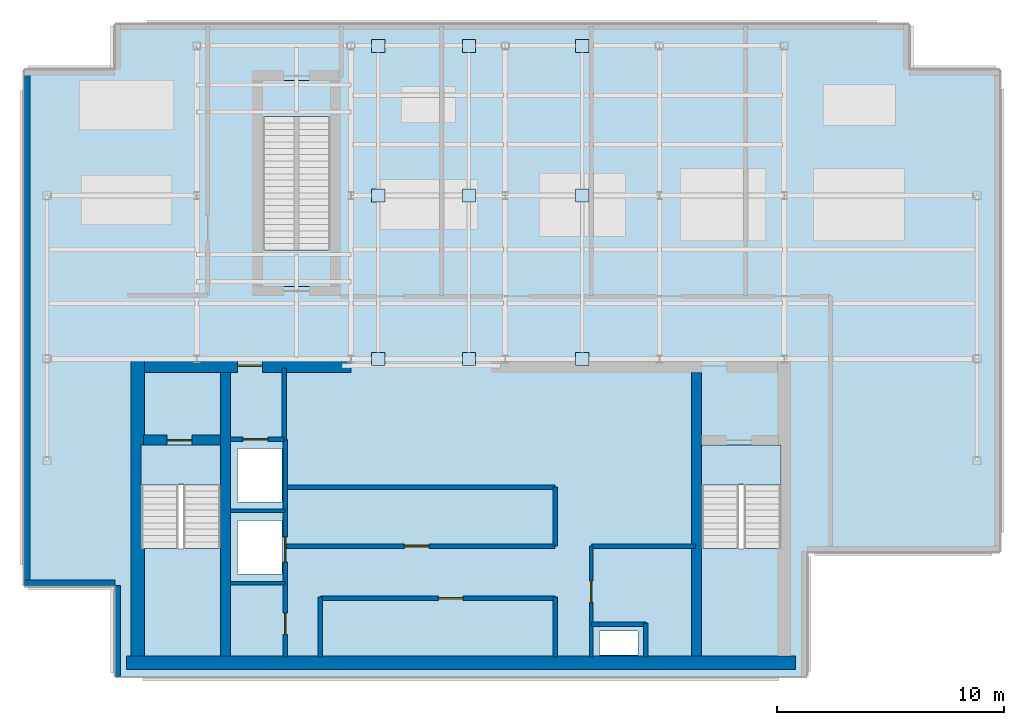
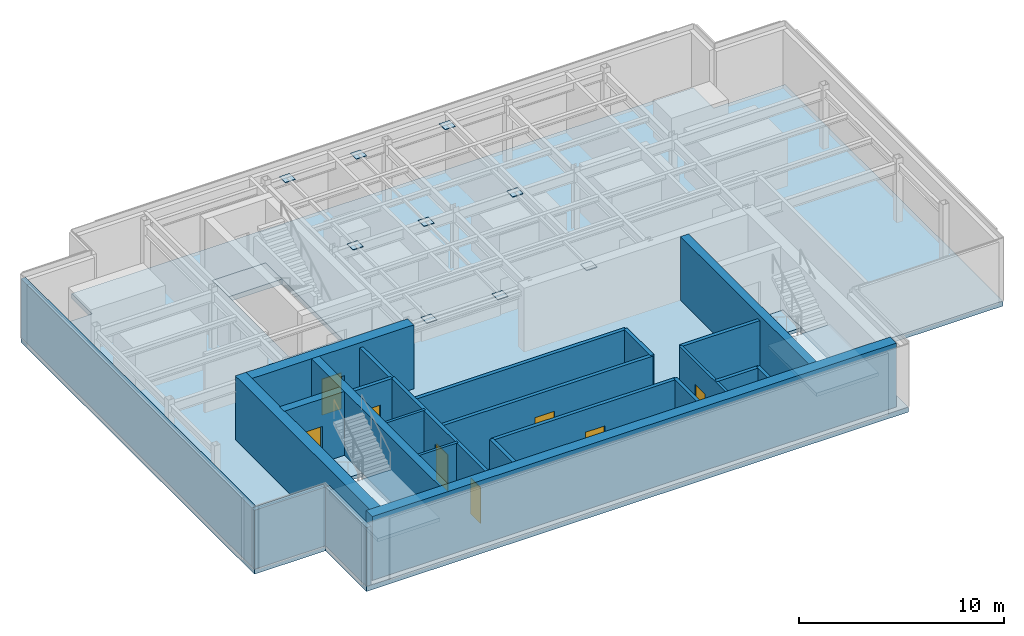
# One storey, part 2 of 7: 24 walls, 9 plates, 8 doors, 7 slabs, 8 openings, 2 elements without a shape of their own.
"""IFC4 building model written with IfcOpenShell, lengths in metres."""

import ifcopenshell
import ifcopenshell.guid

model = None  # the IFC model being written
_history = None  # IfcOwnerHistory: only IFC2X3 demands one
_inside = {}  # id of a spatial element -> (the spatial element, [elements in it])
_under = {}  # id of a project, library or spatial element -> (it, [spatial elements below it])
_declared = {}  # id of a project -> (the project, [libraries it declares])
_typed = {}  # id of a type object -> (the type object, [elements of that type])
_made_of = {}  # id of a material, layer set ... -> (it, [elements and type objects made of it])


def new_model(schema):
    """Start an empty IFC model of exactly this schema.

    Asked for "IFC4X3", IfcOpenShell would pick the latest addendum, in which some entities
    have other attributes; the version numbers below select the first issue.
    IFC2X3 requires an IfcOwnerHistory on every rooted entity: one is made here for all.
    """
    global model, _history
    if schema == "IFC4X3":
        model = ifcopenshell.file(schema_version=(4, 3, 0, 0))
    else:
        model = ifcopenshell.file(schema=schema)
    _inside.clear()
    _under.clear()
    _declared.clear()
    _typed.clear()
    _made_of.clear()
    _history = None
    if model.schema == "IFC2X3":
        org = make("IfcOrganization", Name="unknown")
        user = make(
            "IfcPersonAndOrganization",
            ThePerson=make("IfcPerson", FamilyName="unknown"),
            TheOrganization=org,
        )
        app = make(
            "IfcApplication",
            ApplicationDeveloper=org,
            Version="unknown",
            ApplicationFullName="unknown",
            ApplicationIdentifier="unknown",
        )
        _history = make(
            "IfcOwnerHistory",
            OwningUser=user,
            OwningApplication=app,
            ChangeAction="ADDED",
            CreationDate=0,
        )
    return model


def make(cls, **values):
    """One entity of the class cls with the attributes given. An attribute that is None is left unset."""
    return model.create_entity(
        cls, **{name: value for name, value in values.items() if value is not None}
    )


def rooted(cls, **values):
    """An entity with a GlobalId (a new one), such as an element, a storey or a relation."""
    return make(cls, GlobalId=ifcopenshell.guid.new(), OwnerHistory=_history, **values)


def si_unit(unit_type, name, prefix=None):
    """IfcSIUnit, for example si_unit("LENGTHUNIT", "METRE", prefix="MILLI")."""
    return make("IfcSIUnit", UnitType=unit_type, Prefix=prefix, Name=name)


def derived_unit(unit_type, elements):
    """IfcDerivedUnit: a product of units, each with its exponent."""
    return make(
        "IfcDerivedUnit",
        Elements=[
            make("IfcDerivedUnitElement", Unit=unit, Exponent=power)
            for unit, power in elements
        ],
        UnitType=unit_type,
    )


def assignment(units):
    """IfcUnitAssignment: the units of a project."""
    return None if units is None else make("IfcUnitAssignment", Units=units)


def point(xyz):
    """IfcCartesianPoint."""
    return None if xyz is None else make("IfcCartesianPoint", Coordinates=xyz)


def direction(xyz):
    """IfcDirection."""
    return None if xyz is None else make("IfcDirection", DirectionRatios=xyz)


def frame(location, z_axis=None, x_axis=None):
    """IfcAxis2Placement3D, a coordinate frame: its origin and axes. An axis left out is left unset."""
    return make(
        "IfcAxis2Placement3D",
        Location=point(location),
        Axis=direction(z_axis),
        RefDirection=direction(x_axis),
    )


def frame_2d(location, x_axis=None):
    """IfcAxis2Placement2D, a coordinate frame in the plane: its origin and x axis."""
    return make(
        "IfcAxis2Placement2D", Location=point(location), RefDirection=direction(x_axis)
    )


def origin():
    """The frame at (0, 0, 0) with its axes left unset."""
    return frame((0.0, 0.0, 0.0))


def origin_2d():
    """The frame at (0, 0) in the plane with its x axis left unset."""
    return frame_2d((0.0, 0.0))


def place(relative_to, where):
    """IfcLocalPlacement: puts the frame where relative to a parent placement (None: the world)."""
    return make(
        "IfcLocalPlacement", PlacementRelTo=relative_to, RelativePlacement=where
    )


def context(
    kind, dimensions, precision=None, world=None, true_north=None, identifier=None
):
    """IfcGeometricRepresentationContext, for example the 3D "Model" context."""
    return make(
        "IfcGeometricRepresentationContext",
        ContextIdentifier=identifier,
        ContextType=kind,
        CoordinateSpaceDimension=dimensions,
        Precision=precision,
        WorldCoordinateSystem=world,
        TrueNorth=true_north,
    )


def subcontext(parent, identifier, kind, view, scale=None):
    """IfcGeometricRepresentationSubContext, for example "Body" below "Model"."""
    return make(
        "IfcGeometricRepresentationSubContext",
        ContextIdentifier=identifier,
        ContextType=kind,
        ParentContext=parent,
        TargetScale=scale,
        TargetView=view,
    )


def project(units=None, contexts=None):
    """IfcProject with its units and contexts."""
    return rooted(
        "IfcProject",
        Name="project",
        RepresentationContexts=contexts,
        UnitsInContext=assignment(units),
    )


def spatial(cls, under=None, at=None, **own):
    """A site, building, storey or space (cls), placed at a placement, below another one or the project."""
    s = rooted(cls, ObjectPlacement=at, **own)
    if under is not None:
        _under.setdefault(under.id(), (under, []))[1].append(s)
    return s


def polyline(points):
    """IfcPolyline through the points."""
    return make("IfcPolyline", Points=[point(p) for p in points])


def profile(cls, at=None, kind="AREA", **sizes):
    """A parametric profile (cls). Its sizes go by their IFC names, for example OverallWidth=200.0."""
    return make(cls, ProfileType=kind, Position=at, **sizes)


def rectangle(**sizes):
    """IfcRectangleProfileDef."""
    return profile("IfcRectangleProfileDef", **sizes)


def outline(outer, holes=None, kind="AREA"):
    """IfcArbitraryClosedProfileDef: a profile drawn as a closed curve; with holes, ...WithVoids."""
    if holes is None:
        return make("IfcArbitraryClosedProfileDef", ProfileType=kind, OuterCurve=outer)
    return make(
        "IfcArbitraryProfileDefWithVoids",
        ProfileType=kind,
        OuterCurve=outer,
        InnerCurves=holes,
    )


def extrude(swept, where, along, depth):
    """IfcExtrudedAreaSolid: the profile swept, set in the frame where, extruded along a direction by depth."""
    return make(
        "IfcExtrudedAreaSolid",
        SweptArea=swept,
        Position=where,
        ExtrudedDirection=direction(along),
        Depth=depth,
    )


def shape(context_of_items, identifier, shape_type, items):
    """IfcShapeRepresentation: the items that make up one representation, for example the "Body"."""
    return make(
        "IfcShapeRepresentation",
        ContextOfItems=context_of_items,
        RepresentationIdentifier=identifier,
        RepresentationType=shape_type,
        Items=items,
    )


def source(mapping_origin, context_of_items, identifier, shape_type, items):
    """IfcRepresentationMap: a shape defined once, which mapped items show again and again."""
    return make(
        "IfcRepresentationMap",
        MappingOrigin=mapping_origin,
        MappedRepresentation=shape(context_of_items, identifier, shape_type, items),
    )


def transform(
    local_origin,
    x_axis=None,
    y_axis=None,
    z_axis=None,
    scale=None,
    scale2=None,
    scale3=None,
    uniform=True,
):
    """IfcCartesianTransformationOperator3D, or its non-uniform kind. x_axis, y_axis, z_axis: its Axis1, 2, 3."""
    if uniform:
        return make(
            "IfcCartesianTransformationOperator3D",
            Axis1=direction(x_axis),
            Axis2=direction(y_axis),
            LocalOrigin=point(local_origin),
            Scale=scale,
            Axis3=direction(z_axis),
        )
    return make(
        "IfcCartesianTransformationOperator3DnonUniform",
        Axis1=direction(x_axis),
        Axis2=direction(y_axis),
        LocalOrigin=point(local_origin),
        Scale=scale,
        Axis3=direction(z_axis),
        Scale2=scale2,
        Scale3=scale3,
    )


def mapped(mapping_source, mapping_target):
    """IfcMappedItem: shows the shape of a source again, moved by a transform."""
    return make(
        "IfcMappedItem", MappingSource=mapping_source, MappingTarget=mapping_target
    )


def material(Name=None, Category=None):
    """IfcMaterial."""
    return make("IfcMaterial", Name=Name, Category=Category)


def layer(
    of_material, thickness, ventilated=None, Name=None, Category=None, Priority=None
):
    """IfcMaterialLayer: one layer of a wall or slab, of a material (None: an air gap)."""
    return make(
        "IfcMaterialLayer",
        Material=of_material,
        LayerThickness=thickness,
        IsVentilated=ventilated,
        Name=Name,
        Category=Category,
        Priority=Priority,
    )


def layer_set(layers, Name=None):
    """IfcMaterialLayerSet."""
    return make("IfcMaterialLayerSet", MaterialLayers=layers, LayerSetName=Name)


def made_of(thing, what):
    """Note that an element or type object is made of a material, layer set ...; save() writes the relation."""
    if what is not None:
        _made_of.setdefault(what.id(), (what, []))[1].append(thing)
    return thing


def type_object(cls, material=None, **own):
    """A type object (cls), such as IfcWallType, which elements share."""
    return made_of(rooted(cls, **own), material)


def element(
    cls,
    number,
    at=None,
    inside=None,
    cuts=None,
    type_object=None,
    material=None,
    context=None,
    identifier="Body",
    shape_type=None,
    held_by="IfcProductDefinitionShape",
    body=None,
    shapes=None,
    **own,
):
    """One element of the class cls, such as IfcWall. Its Tag is "e" and its number.

    at: its placement. inside: the storey or other place that contains it. cuts: it is an
    opening in that element (IfcRelVoidsElement). A single representation is given by context,
    identifier, shape_type and body (its items); several are given by shapes. held_by: the class
    of the entity that holds the representations. save() writes the other relations.
    """
    e = rooted(cls, Tag="e%d" % number, ObjectPlacement=at, **own)
    if body is not None:
        shapes = [shape(context, identifier, shape_type, body)]
    if shapes is not None:
        e.Representation = make(held_by, Representations=shapes)
    if inside is not None:
        _inside.setdefault(inside.id(), (inside, []))[1].append(e)
    if cuts is not None:
        rooted(
            "IfcRelVoidsElement", RelatingBuildingElement=cuts, RelatedOpeningElement=e
        )
    if type_object is not None:
        _typed.setdefault(type_object.id(), (type_object, []))[1].append(e)
    return made_of(e, material)


def fill(opening, filler):
    """IfcRelFillsElement: the door or window that sits in an opening."""
    return rooted(
        "IfcRelFillsElement",
        RelatingOpeningElement=opening,
        RelatedBuildingElement=filler,
    )


def aggregate(whole, parts):
    """IfcRelAggregates: a whole, such as a stair, and the parts it consists of."""
    return rooted("IfcRelAggregates", RelatingObject=whole, RelatedObjects=parts)


def save(model, path):
    """Write the relations noted so far, then the file.

    IfcRelAggregates (storeys below a building ...), IfcRelContainedInSpatialStructure (elements
    in a storey), IfcRelDefinesByType, IfcRelAssociatesMaterial and IfcRelDeclares: one each for
    every whole, place, type object, material and project.
    """
    for whole, parts in _under.values():
        aggregate(whole, parts)
    for where, things in _inside.values():
        rooted(
            "IfcRelContainedInSpatialStructure",
            RelatedElements=things,
            RelatingStructure=where,
        )
    for kind, things in _typed.values():
        rooted("IfcRelDefinesByType", RelatedObjects=things, RelatingType=kind)
    for what, things in _made_of.values():
        rooted("IfcRelAssociatesMaterial", RelatedObjects=things, RelatingMaterial=what)
    for by, libraries in _declared.values():
        rooted("IfcRelDeclares", RelatingContext=by, RelatedDefinitions=libraries)
    model.write(path)


model = new_model("IFC4")

# Units and contexts
model_context = context("Model", 3, precision=1e-05, world=origin(), true_north=direction((0.0, 1.0)))
body_context = subcontext(model_context, "Body", "Model", "MODEL_VIEW")
ifc_project = project(units=[si_unit("LENGTHUNIT", "METRE"), si_unit("AREAUNIT", "SQUARE_METRE"), si_unit("VOLUMEUNIT", "CUBIC_METRE"), si_unit("PLANEANGLEUNIT", "RADIAN"), si_unit("MASSUNIT", "GRAM", prefix="KILO"), derived_unit("THERMALTRANSMITTANCEUNIT", [(si_unit("POWERUNIT", "WATT"), 1), (si_unit("LENGTHUNIT", "METRE"), -2), (si_unit("THERMODYNAMICTEMPERATUREUNIT", "KELVIN"), -1)])], contexts=[model_context])

# Site, building, storey
site_placement = place(None, origin())
site = spatial("IfcSite", under=ifc_project, at=site_placement, CompositionType="ELEMENT")
building_placement = place(site_placement, origin())
building = spatial("IfcBuilding", under=site, at=building_placement, Name="Skarnbrae Concourse Arena and Tower", CompositionType="ELEMENT")
storey_placement = place(building_placement, frame((0.0, 0.0, 307.449951171875)))
storey = spatial("IfcBuildingStorey", under=building, at=storey_placement, Name="L80", CompositionType="ELEMENT", Elevation=307.449951171875)

# Stair, slab
ifc_material_1 = material(Name="Concrete 40 MPa (C40/50)", Category="concrete")
stair_type = type_object("IfcStairType", Name="STAIR-DOGLEG-1650", PredefinedType="HALF_TURN_STAIR", material=ifc_material_1)
stair_1_placement = place(storey_placement, origin())
stair_1 = element("IfcStair", 1, at=stair_1_placement, inside=storey, type_object=stair_type, Name="L80 Protected Exit Stair ST-1", PredefinedType="HALF_TURN_STAIR")
ifc_layer_1 = layer(ifc_material_1, 0.199951171875)
ifc_layer_set_1 = layer_set([ifc_layer_1], Name="Concrete 40 MPa (C40/50)")
slab_type_1 = type_object("IfcSlabType", Name="SLAB-LANDING-200", PredefinedType="LANDING", material=ifc_layer_set_1)
slab_1_placement = place(storey_placement, frame((0.0, 0.0, 1.699951171875)))
slab_1 = element("IfcSlab", 2, at=slab_1_placement, type_object=slab_type_1, Name="ST-1 landing 1", PredefinedType="LANDING", context=body_context, shape_type="SweptSolid", body=[
    extrude(outline(polyline([(5.14990234375, 5.64990234375), (5.14990234375, 0.89990234375), (8.64990234375, 0.89990234375), (8.64990234375, 5.64990234375), (5.14990234375, 5.64990234375)])), origin(), (0.0, 0.0, 1.0), 0.2001953125),
])
aggregate(stair_1, [slab_1])

stair_2_placement = place(storey_placement, origin())
stair_2 = element("IfcStair", 3, at=stair_2_placement, inside=storey, type_object=stair_type, Name="L80 Protected Exit Stair ST-2", PredefinedType="HALF_TURN_STAIR")
slab_2_placement = place(storey_placement, frame((0.0, 0.0, 1.699951171875)))
slab_2 = element("IfcSlab", 4, at=slab_2_placement, type_object=slab_type_1, Name="ST-2 landing 1", PredefinedType="LANDING", context=body_context, shape_type="SweptSolid", body=[
    extrude(outline(polyline([(29.85009765625, 5.64990234375), (29.85009765625, 0.89990234375), (33.35009765625, 0.89990234375), (33.35009765625, 5.64990234375), (29.85009765625, 5.64990234375)])), origin(), (0.0, 0.0, 1.0), 0.2001953125),
])
aggregate(stair_2, [slab_2])

# Slabs
slab_3_placement = place(storey_placement, frame((0.0, 0.0, -0.199951171875)))
element("IfcSlab", 5, at=slab_3_placement, inside=storey, type_object=slab_type_1, Name="L80 Core stair ST1 floor landing", PredefinedType="LANDING", context=body_context, shape_type="SweptSolid", body=[
    extrude(outline(polyline([(5.14990234375, 10.199951171875), (5.14990234375, 8.449951171875), (8.64990234375, 8.449951171875), (8.64990234375, 10.199951171875), (5.14990234375, 10.199951171875)])), origin(), (0.0, 0.0, 1.0), 0.199951171875),
])
slab_4_placement = place(storey_placement, frame((0.0, 0.0, -0.199951171875)))
element("IfcSlab", 6, at=slab_4_placement, inside=storey, type_object=slab_type_1, Name="L80 Core stair ST2 floor landing", PredefinedType="LANDING", context=body_context, shape_type="SweptSolid", body=[
    extrude(outline(polyline([(29.85009765625, 10.199951171875), (29.85009765625, 8.449951171875), (33.35009765625, 8.449951171875), (33.35009765625, 10.199951171875), (29.85009765625, 10.199951171875)])), origin(), (0.0, 0.0, 1.0), 0.199951171875),
])
slab_5_placement = place(storey_placement, frame((0.0, 0.0, -0.300048828125)))
element("IfcSlab", 7, at=slab_5_placement, inside=storey, type_object=slab_type_1, Name="L80 Stair ST-CRWN near floor landing", PredefinedType="LANDING", context=body_context, shape_type="SweptSolid", body=[
    extrude(outline(polyline([(13.5, 17.199951171875), (13.5, 18.800048828125), (10.5, 18.800048828125), (10.5, 17.199951171875), (13.5, 17.199951171875)])), origin(), (0.0, 0.0, 1.0), 0.300048828125),
])
slab_6_placement = place(storey_placement, frame((0.0, 0.0, -0.300048828125)))
element("IfcSlab", 8, at=slab_6_placement, inside=storey, type_object=slab_type_1, Name="L80 Stair ST-CRWN far floor landing", PredefinedType="LANDING", context=body_context, shape_type="SweptSolid", body=[
    extrude(outline(polyline([(13.5, 24.679931640625), (13.5, 26.280029296875), (10.5, 26.280029296875), (10.5, 24.679931640625), (13.5, 24.679931640625)])), origin(), (0.0, 0.0, 1.0), 0.300048828125),
])
ifc_layer_2 = layer(ifc_material_1, 0.300048828125)
ifc_layer_set_2 = layer_set([ifc_layer_2], Name="Concrete 40 MPa (C40/50)")
slab_type_2 = type_object("IfcSlabType", Name="SLAB-PODIUM-300", PredefinedType="FLOOR", material=ifc_layer_set_2)
slab_7_placement = place(storey_placement, frame((0.0, 0.0, -0.300048828125)))
element("IfcSlab", 9, at=slab_7_placement, inside=storey, type_object=slab_type_2, Name="L80 Structural floor slab", PredefinedType="FLOOR", context=body_context, shape_type="SweptSolid", body=[
    extrude(outline(polyline([(4.0, 0.0), (34.5, 0.0), (34.5, 5.5), (43.0, 5.5), (43.0, 26.75), (39.0, 26.75), (39.0, 28.75), (4.0, 28.75), (4.0, 26.75), (0.0, 26.75), (0.0, 4.0), (4.0, 4.0), (4.0, 0.0)]), holes=[polyline([(27.050048828125, 0.949951171875), (25.35009765625, 0.949951171875), (25.35009765625, 2.0), (27.050048828125, 2.0), (27.050048828125, 0.949951171875)]), polyline([(5.14990234375, 10.199951171875), (8.64990234375, 10.199951171875), (8.64990234375, 0.89990234375), (5.14990234375, 0.89990234375), (5.14990234375, 10.199951171875)]), polyline([(29.85009765625, 10.199951171875), (33.35009765625, 10.199951171875), (33.35009765625, 0.89990234375), (29.85009765625, 0.89990234375), (29.85009765625, 10.199951171875)]), polyline([(11.35498046875, 4.52001953125), (9.39501953125, 4.52001953125), (9.39501953125, 6.8798828125), (11.35498046875, 6.8798828125), (11.35498046875, 4.52001953125)]), polyline([(9.39501953125, 7.695068359375), (9.39501953125, 10.054931640625), (11.35498046875, 10.054931640625), (11.35498046875, 7.695068359375), (9.39501953125, 7.695068359375)]), polyline([(13.5, 17.199951171875), (10.5, 17.199951171875), (10.5, 26.280029296875), (13.5, 26.280029296875), (13.5, 17.199951171875)])]), origin(), (0.0, 0.0, 1.0), 0.300048828125),
])

# Plates
ifc_material_2 = material(Name="Steel CSA G40.21 350W", Category="steel")
ifc_layer_3 = layer(ifc_material_2, 0.031982421875)
ifc_layer_set_3 = layer_set([ifc_layer_3], Name="Steel CSA G40.21 350W")
plate_type = type_object("IfcPlateType", Name="PLT-CAP-HOLLOW", PredefinedType="USERDEFINED", material=ifc_layer_set_3)
shared_shape_1 = source(origin(), body_context, "Body", "SweptSolid", [
    extrude(rectangle(XDim=0.580078125, YDim=0.580078125, at=origin_2d()), origin(), (0.0, 0.0, 1.0), 0.031982421875),
])
for number, where, z_axis, x_axis, name in (
    (10, (15.60009765625, 14.0, 3.3642578125), (0.0, 0.0, 1.0), (1.0, 0.0, 0.0), "L80 Crown tie cap plate 1.1A"),
    (11, (15.60009765625, 21.199951171875, 3.3642578125), (0.0, 0.0, 1.0), (1.0, 0.0, 0.0), "L80 Crown tie cap plate 1.1B"),
    (12, (15.60009765625, 27.800048828125, 3.3642578125), (0.0, 0.0, 1.0), (1.0, 0.0, 0.0), "L80 Crown tie cap plate 1.2B"),
    (13, (19.60009765625, 14.0, 3.3642578125), (0.0, 0.0, 1.0), (1.0, 0.0, 0.0), "L80 Crown tie cap plate 2.1A"),
    (14, (19.60009765625, 21.199951171875, 3.3642578125), (0.0, 0.0, 1.0), (1.0, 0.0, 0.0), "L80 Crown tie cap plate 2.1B"),
    (15, (19.60009765625, 27.800048828125, 3.3642578125), (0.0, 0.0, 1.0), (1.0, 0.0, 0.0), "L80 Crown tie cap plate 2.2B"),
    (16, (24.60009765625, 14.0, 3.3642578125), (0.0, 0.0, 1.0), (1.0, 0.0, 0.0), "L80 Crown tie cap plate 3.1A"),
    (17, (24.60009765625, 21.199951171875, 3.3642578125), (0.0, 0.0, 1.0), (1.0, 0.0, 0.0), "L80 Crown tie cap plate 3.1B"),
    (18, (24.60009765625, 27.800048828125, 3.3642578125), (0.0, 0.0, 1.0), (1.0, 0.0, 0.0), "L80 Crown tie cap plate 3.2B"),
):
    element("IfcPlate", number, at=place(storey_placement, frame(where, z_axis=z_axis, x_axis=x_axis)), inside=storey, type_object=plate_type, Name=name, ObjectType="CAP PLATE", PredefinedType="USERDEFINED", context=body_context, shape_type="MappedRepresentation", body=[
        mapped(shared_shape_1, transform((0.0, 0.0, 0.0))),
    ])

# Walls
ifc_material_3 = material(Name="Concrete 50 MPa (C50/60)", Category="concrete")
ifc_layer_4 = layer(ifc_material_3, 0.60009765625)
ifc_layer_set_4 = layer_set([ifc_layer_4], Name="Concrete 50 MPa (C50/60)")
wall_type_1 = type_object("IfcWallType", Name="WALL-CORE-600-C50", PredefinedType="SHEAR", material=ifc_layer_set_4)
shared_shape_2 = source(origin(), body_context, "Body", "SweptSolid", [
    extrude(rectangle(XDim=29.5, YDim=0.60009765625, at=frame_2d((14.75, 0.0))), origin(), (0.0, 0.0, 1.0), 3.800048828125),
])
wall_1_placement = place(storey_placement, frame((4.5, 0.60009765625, 0.0), z_axis=(0.0, 0.0, 1.0), x_axis=(1.0, 0.0, 0.0)))
element("IfcWall", 19, at=wall_1_placement, inside=storey, type_object=wall_type_1, Name="L80 Rear core shear wall CW-S", PredefinedType="SHEAR", context=body_context, shape_type="MappedRepresentation", body=[
    mapped(shared_shape_2, transform((0.0, 0.0, 0.0))),
])
shared_shape_3 = source(origin(), body_context, "Body", "SweptSolid", [
    extrude(rectangle(XDim=13.10009765625, YDim=0.60009765625, at=frame_2d((6.550048828125, 0.0))), origin(), (0.0, 0.0, 1.0), 3.800048828125),
])
wall_2_placement = place(storey_placement, frame((5.0, 0.89990234375, 0.0), z_axis=(0.0, 0.0, 1.0), x_axis=(0.0, 1.0, 0.0)))
element("IfcWall", 20, at=wall_2_placement, inside=storey, type_object=wall_type_1, Name="L80 Rear core shear wall CW-W", PredefinedType="SHEAR", context=body_context, shape_type="MappedRepresentation", body=[
    mapped(shared_shape_3, transform((0.0, 0.0, 0.0))),
])

# Wall, opening, door
shared_shape_4 = source(origin(), body_context, "Body", "SweptSolid", [
    extrude(rectangle(XDim=9.099853515625, YDim=0.60009765625, at=frame_2d((4.5498046875, 0.0))), origin(), (0.0, 0.0, 1.0), 3.800048828125),
])
wall_3_placement = place(storey_placement, frame((5.300048828125, 13.699951171875, 0.0), z_axis=(0.0, 0.0, 1.0), x_axis=(1.0, 0.0, 0.0)))
wall_3 = element("IfcWall", 21, at=wall_3_placement, inside=storey, type_object=wall_type_1, Name="L80 Rear core shear wall CW-NW", PredefinedType="SHEAR", context=body_context, shape_type="MappedRepresentation", body=[
    mapped(shared_shape_4, transform((0.0, 0.0, 0.0))),
])
opening_1_placement = place(wall_3_placement, frame((4.10009765625, 0.0, 0.0)))
opening_1 = element("IfcOpeningElement", 22, at=opening_1_placement, cuts=wall_3, Name="Opening DT-03", PredefinedType="OPENING", context=body_context, shape_type="SweptSolid", body=[
    extrude(rectangle(XDim=1.10009765625, YDim=2.14990234375, at=frame_2d((0.550048828125, 1.074951171875))), frame((0.0, 0.31005859375, 0.0), z_axis=(0.0, -1.0, 0.0), x_axis=(1.0, 0.0, 0.0)), (0.0, 0.0, 1.0), 0.6201171875),
])
door_type_1 = type_object("IfcDoorType", Name="DOOR-FIRE-1100-90M", OperationType="NOTDEFINED", PredefinedType="DOOR", material=ifc_material_2)
shared_shape_5 = source(origin(), body_context, "Body", "SweptSolid", [
    extrude(rectangle(XDim=1.10009765625, YDim=2.14990234375, at=frame_2d((0.550048828125, 1.074951171875))), frame((0.0, 0.02490234375, 0.0), z_axis=(0.0, -1.0, 0.0), x_axis=(1.0, 0.0, 0.0)), (0.0, 0.0, 1.0), 0.050048828125),
])
door_1_placement = place(opening_1_placement, origin())
door_1 = element("IfcDoor", 23, at=door_1_placement, inside=storey, type_object=door_type_1, Name="D-2356 Firefighting Lobby Exit Door", OperationType="SINGLE_SWING_RIGHT", OverallHeight=2.14990234375, OverallWidth=1.10009765625, PredefinedType="DOOR", context=body_context, shape_type="MappedRepresentation", body=[
    mapped(shared_shape_5, transform((0.0, 0.0, 0.0))),
])
fill(opening_1, door_1)

# Walls
ifc_layer_5 = layer(ifc_material_3, 0.449951171875)
ifc_layer_set_5 = layer_set([ifc_layer_5], Name="Concrete 50 MPa (C50/60)")
wall_type_2 = type_object("IfcWallType", Name="WALL-CORE-450-C50", PredefinedType="SHEAR", material=ifc_layer_set_5)
shared_shape_6 = source(origin(), body_context, "Body", "SweptSolid", [
    extrude(rectangle(XDim=12.5, YDim=0.449951171875, at=frame_2d((6.25, 0.0))), origin(), (0.0, 0.0, 1.0), 3.800048828125),
])
for number, where, z_axis, x_axis, name in (
    (24, (8.864990234375, 0.89990234375, 0.0), (0.0, 0.0, 1.0), (0.0, 1.0, 0.0), "L80 Rear core shear wall CW-WEB-W"),
    (25, (29.635009765625, 0.89990234375, 0.0), (0.0, 0.0, 1.0), (0.0, 1.0, 0.0), "L80 Rear core shear wall CW-WEB-E"),
):
    element("IfcWall", number, at=place(storey_placement, frame(where, z_axis=z_axis, x_axis=x_axis)), inside=storey, type_object=wall_type_2, Name=name, PredefinedType="SHEAR", context=body_context, shape_type="MappedRepresentation", body=[
        mapped(shared_shape_6, transform((0.0, 0.0, 0.0))),
    ])

# Wall, opening, door
shared_shape_7 = source(origin(), body_context, "Body", "SweptSolid", [
    extrude(rectangle(XDim=3.389892578125, YDim=0.449951171875, at=frame_2d((1.69482421875, 0.0))), origin(), (0.0, 0.0, 1.0), 3.800048828125),
])
wall_4_placement = place(storey_placement, frame((5.25, 10.419921875, 0.0), z_axis=(0.0, 0.0, 1.0), x_axis=(1.0, 0.0, 0.0)))
wall_4 = element("IfcWall", 26, at=wall_4_placement, inside=storey, type_object=wall_type_2, Name="L80 Rear core shear wall CW-ST1-N", PredefinedType="SHEAR", context=body_context, shape_type="MappedRepresentation", body=[
    mapped(shared_shape_7, transform((0.0, 0.0, 0.0))),
])
opening_2_placement = place(wall_4_placement, frame((1.050048828125, 0.0, 0.0)))
opening_2 = element("IfcOpeningElement", 27, at=opening_2_placement, cuts=wall_4, Name="Opening DT-03", PredefinedType="OPENING", context=body_context, shape_type="SweptSolid", body=[
    extrude(rectangle(XDim=1.10009765625, YDim=2.14990234375, at=frame_2d((0.550048828125, 1.074951171875))), frame((0.0, 0.23486328125, 0.0), z_axis=(0.0, -1.0, 0.0), x_axis=(1.0, 0.0, 0.0)), (0.0, 0.0, 1.0), 0.469970703125),
])
door_2_placement = place(opening_2_placement, frame((1.10009765625, 0.0, 0.0), z_axis=(0.0, 0.0, 1.0), x_axis=(-1.0, 0.0, 0.0)))
door_2 = element("IfcDoor", 28, at=door_2_placement, inside=storey, type_object=door_type_1, Name="D-2354 Stair ST-1 Door", OperationType="SINGLE_SWING_LEFT", OverallHeight=2.14990234375, OverallWidth=1.10009765625, PredefinedType="DOOR", context=body_context, shape_type="MappedRepresentation", body=[
    mapped(shared_shape_5, transform((0.0, 0.0, 0.0))),
])
fill(opening_2, door_2)

# Walls
ifc_material_4 = material(Name="Precast concrete 40 MPa (C40/50)", Category="concrete")
ifc_layer_6 = layer(ifc_material_4, 0.25)
ifc_layer_set_6 = layer_set([ifc_layer_6], Name="Precast concrete 40 MPa (C40/50)")
wall_type_3 = type_object("IfcWallType", Name="WALL-CROWN-BRONZE-250", PredefinedType="STANDARD", material=ifc_layer_set_6)
shared_shape_8 = source(origin(), body_context, "Body", "SweptSolid", [
    extrude(rectangle(XDim=4.0, YDim=0.25, at=frame_2d((2.0, 0.0))), origin(), (0.0, 0.0, 1.0), 3.5),
])
for number, where, z_axis, x_axis, name in (
    (29, (0.0, 4.125, 0.0), (0.0, 0.0, 1.0), (1.0, 0.0, 0.0), "L80 Crown enclosure wall 11"),
    (30, (4.125, 4.0, 0.0), (0.0, 0.0, 1.0), (0.0, -1.0, 0.0), "L80 Crown enclosure wall 12"),
):
    element("IfcWall", number, at=place(storey_placement, frame(where, z_axis=z_axis, x_axis=x_axis)), inside=storey, type_object=wall_type_3, Name=name, PredefinedType="STANDARD", context=body_context, shape_type="MappedRepresentation", body=[
        mapped(shared_shape_8, transform((0.0, 0.0, 0.0))),
    ])
shared_shape_9 = source(origin(), body_context, "Body", "SweptSolid", [
    extrude(rectangle(XDim=22.75, YDim=0.25, at=frame_2d((11.375, 0.0))), origin(), (0.0, 0.0, 1.0), 3.5),
])
wall_5_placement = place(storey_placement, frame((0.125, 26.75, 0.0), z_axis=(0.0, 0.0, 1.0), x_axis=(0.0, -1.0, 0.0)))
element("IfcWall", 31, at=wall_5_placement, inside=storey, type_object=wall_type_3, Name="L80 Crown enclosure wall 10", PredefinedType="STANDARD", context=body_context, shape_type="MappedRepresentation", body=[
    mapped(shared_shape_9, transform((0.0, 0.0, 0.0))),
])
ifc_material_5 = material(Name="Gypsum board on cold-formed steel studs", Category="steel")
ifc_layer_7 = layer(ifc_material_5, 0.199951171875)
ifc_layer_set_7 = layer_set([ifc_layer_7], Name="Gypsum board on cold-formed steel studs")
wall_type_4 = type_object("IfcWallType", Name="WALL-PART-200-2HR", PredefinedType="PARTITIONING", material=ifc_layer_set_7)
shared_shape_10 = source(origin(), body_context, "Body", "SweptSolid", [
    extrude(rectangle(XDim=3.18017578125, YDim=0.199951171875, at=frame_2d((1.590087890625, 0.0))), origin(), (0.0, 0.0, 1.0), 3.5),
])
wall_6_placement = place(storey_placement, frame((11.449951171875, 10.419921875, 0.0), z_axis=(0.0, 0.0, 1.0), x_axis=(0.0, 1.0, 0.0)))
element("IfcWall", 32, at=wall_6_placement, inside=storey, type_object=wall_type_4, Name="L80 Interior partition wall W-L80-FFL-E", PredefinedType="PARTITIONING", context=body_context, shape_type="MappedRepresentation", body=[
    mapped(shared_shape_10, transform((0.0, 0.0, 0.0))),
])

# Wall, opening, door
shared_shape_11 = source(origin(), body_context, "Body", "SweptSolid", [
    extrude(rectangle(XDim=2.349853515625, YDim=0.199951171875, at=frame_2d((1.1748046875, 0.0))), origin(), (0.0, 0.0, 1.0), 3.5),
])
wall_7_placement = place(storey_placement, frame((9.10009765625, 10.449951171875, 0.0), z_axis=(0.0, 0.0, 1.0), x_axis=(1.0, 0.0, 0.0)))
wall_7 = element("IfcWall", 33, at=wall_7_placement, inside=storey, type_object=wall_type_4, Name="L80 Interior partition wall W-L80-FL1-N", PredefinedType="PARTITIONING", context=body_context, shape_type="MappedRepresentation", body=[
    mapped(shared_shape_11, transform((0.0, 0.0, 0.0))),
])
opening_3_placement = place(wall_7_placement, frame((0.550048828125, 0.0, 0.0)))
opening_3 = element("IfcOpeningElement", 34, at=opening_3_placement, cuts=wall_7, Name="Opening LD-01", PredefinedType="OPENING", context=body_context, shape_type="SweptSolid", body=[
    extrude(rectangle(XDim=1.10009765625, YDim=2.14990234375, at=frame_2d((0.550048828125, 1.074951171875))), frame((0.0, 0.10986328125, 0.0), z_axis=(0.0, -1.0, 0.0), x_axis=(1.0, 0.0, 0.0)), (0.0, 0.0, 1.0), 0.219970703125),
])
door_type_2 = type_object("IfcDoorType", Name="DOOR-LIFT-SLIDE-1100", OperationType="SLIDING_TO_LEFT", PredefinedType="DOOR", material=ifc_material_2)
door_3_placement = place(opening_3_placement, origin())
door_3 = element("IfcDoor", 35, at=door_3_placement, inside=storey, type_object=door_type_2, Name="D-2358 Firefighting Lift Landing Door FL-01", OperationType="SLIDING_TO_LEFT", OverallHeight=2.14990234375, OverallWidth=1.10009765625, PredefinedType="DOOR", context=body_context, shape_type="MappedRepresentation", body=[
    mapped(shared_shape_5, transform((0.0, 0.0, 0.0))),
])
fill(opening_3, door_3)

# Wall, openings, doors
shared_shape_12 = source(origin(), body_context, "Body", "SweptSolid", [
    extrude(rectangle(XDim=9.599853515625, YDim=0.199951171875, at=frame_2d((4.7998046875, 0.0))), origin(), (0.0, 0.0, 1.0), 3.5),
])
wall_8_placement = place(storey_placement, frame((11.5, 0.85009765625, 0.0), z_axis=(0.0, 0.0, 1.0), x_axis=(0.0, 1.0, 0.0)))
wall_8 = element("IfcWall", 36, at=wall_8_placement, inside=storey, type_object=wall_type_4, Name="L80 Interior partition wall W-L80-FL-E", PredefinedType="PARTITIONING", context=body_context, shape_type="MappedRepresentation", body=[
    mapped(shared_shape_12, transform((0.0, 0.0, 0.0))),
])
opening_4_placement = place(wall_8_placement, frame((4.199951171875, 0.0, 0.0)))
opening_4 = element("IfcOpeningElement", 37, at=opening_4_placement, cuts=wall_8, Name="Opening LD-01", PredefinedType="OPENING", context=body_context, shape_type="SweptSolid", body=[
    extrude(rectangle(XDim=1.10009765625, YDim=2.14990234375, at=frame_2d((0.550048828125, 1.074951171875))), frame((0.0, 0.10986328125, 0.0), z_axis=(0.0, -1.0, 0.0), x_axis=(1.0, 0.0, 0.0)), (0.0, 0.0, 1.0), 0.219970703125),
])
opening_5_placement = place(wall_8_placement, frame((1.0, 0.0, 0.0)))
opening_5 = element("IfcOpeningElement", 38, at=opening_5_placement, cuts=wall_8, Name="Opening DT-04", PredefinedType="OPENING", context=body_context, shape_type="SweptSolid", body=[
    extrude(rectangle(XDim=0.949951171875, YDim=2.14990234375, at=frame_2d((0.47509765625, 1.074951171875))), frame((0.0, 0.10986328125, 0.0), z_axis=(0.0, -1.0, 0.0), x_axis=(1.0, 0.0, 0.0)), (0.0, 0.0, 1.0), 0.219970703125),
])
door_4_placement = place(opening_4_placement, frame((1.10009765625, 0.0, 0.0), z_axis=(0.0, 0.0, 1.0), x_axis=(-1.0, 0.0, 0.0)))
door_4 = element("IfcDoor", 39, at=door_4_placement, inside=storey, type_object=door_type_2, Name="D-2359 Firefighting Lift Landing Door FL-02", OperationType="SLIDING_TO_LEFT", OverallHeight=2.14990234375, OverallWidth=1.10009765625, PredefinedType="DOOR", context=body_context, shape_type="MappedRepresentation", body=[
    mapped(shared_shape_5, transform((0.0, 0.0, 0.0))),
])
fill(opening_4, door_4)
door_type_3 = type_object("IfcDoorType", Name="DOOR-INT-950-45M", OperationType="NOTDEFINED", PredefinedType="DOOR", material=ifc_material_2)
shared_shape_13 = source(origin(), body_context, "Body", "SweptSolid", [
    extrude(rectangle(XDim=0.949951171875, YDim=2.14990234375, at=frame_2d((0.47509765625, 1.074951171875))), frame((0.0, 0.02490234375, 0.0), z_axis=(0.0, -1.0, 0.0), x_axis=(1.0, 0.0, 0.0)), (0.0, 0.0, 1.0), 0.050048828125),
])
door_5_placement = place(opening_5_placement, frame((0.949951171875, 0.0, 0.0), z_axis=(0.0, 0.0, 1.0), x_axis=(-1.0, 0.0, 0.0)))
door_5 = element("IfcDoor", 40, at=door_5_placement, inside=storey, type_object=door_type_3, Name="D-2360 Crown Exhaust Plant Door", OperationType="SINGLE_SWING_RIGHT", OverallHeight=2.14990234375, OverallWidth=0.949951171875, PredefinedType="DOOR", context=body_context, shape_type="MappedRepresentation", body=[
    mapped(shared_shape_13, transform((0.0, 0.0, 0.0))),
])
fill(opening_5, door_5)

# Walls
ifc_layer_8 = layer(ifc_material_5, 0.14990234375)
ifc_layer_set_8 = layer_set([ifc_layer_8], Name="Gypsum board on cold-formed steel studs")
wall_type_5 = type_object("IfcWallType", Name="WALL-PART-150", PredefinedType="PARTITIONING", material=ifc_layer_set_8)
shared_shape_14 = source(origin(), body_context, "Body", "SweptSolid", [
    extrude(rectangle(XDim=2.39990234375, YDim=0.14990234375, at=frame_2d((1.199951171875, 0.0))), origin(), (0.0, 0.0, 1.0), 3.5),
])
for number, where, z_axis, x_axis, name in (
    (41, (9.10009765625, 4.10009765625, 0.0), (0.0, 0.0, 1.0), (1.0, 0.0, 0.0), "L80 Interior partition wall W-L80-FL-D1"),
    (42, (9.10009765625, 7.300048828125, 0.0), (0.0, 0.0, 1.0), (1.0, 0.0, 0.0), "L80 Interior partition wall W-L80-FL-D2"),
):
    element("IfcWall", number, at=place(storey_placement, frame(where, z_axis=z_axis, x_axis=x_axis)), inside=storey, type_object=wall_type_5, Name=name, PredefinedType="PARTITIONING", context=body_context, shape_type="MappedRepresentation", body=[
        mapped(shared_shape_14, transform((0.0, 0.0, 0.0))),
    ])
shared_shape_15 = source(origin(), body_context, "Body", "SweptSolid", [
    extrude(rectangle(XDim=2.64990234375, YDim=0.199951171875, at=frame_2d((1.324951171875, 0.0))), origin(), (0.0, 0.0, 1.0), 3.5),
])
for number, where, z_axis, x_axis, name in (
    (43, (13.050048828125, 0.85009765625, 0.0), (0.0, 0.0, 1.0), (0.0, 1.0, 0.0), "L80 Interior partition wall W-L80-B1B-W"),
    (44, (23.39990234375, 0.85009765625, 0.0), (0.0, 0.0, 1.0), (0.0, 1.0, 0.0), "L80 Interior partition wall W-L80-B1B-E"),
):
    element("IfcWall", number, at=place(storey_placement, frame(where, z_axis=z_axis, x_axis=x_axis)), inside=storey, type_object=wall_type_4, Name=name, PredefinedType="PARTITIONING", context=body_context, shape_type="MappedRepresentation", body=[
        mapped(shared_shape_15, transform((0.0, 0.0, 0.0))),
    ])

# Wall, opening, door
shared_shape_16 = source(origin(), body_context, "Body", "SweptSolid", [
    extrude(rectangle(XDim=10.349853515625, YDim=0.199951171875, at=frame_2d((5.1748046875, 0.0))), origin(), (0.0, 0.0, 1.0), 3.5),
])
wall_9_placement = place(storey_placement, frame((13.050048828125, 3.449951171875, 0.0), z_axis=(0.0, 0.0, 1.0), x_axis=(1.0, 0.0, 0.0)))
wall_9 = element("IfcWall", 45, at=wall_9_placement, inside=storey, type_object=wall_type_4, Name="L80 Interior partition wall W-L80-B1B-N", PredefinedType="PARTITIONING", context=body_context, shape_type="MappedRepresentation", body=[
    mapped(shared_shape_16, transform((0.0, 0.0, 0.0))),
])
opening_6_placement = place(wall_9_placement, frame((5.199951171875, 0.0, 0.0)))
opening_6 = element("IfcOpeningElement", 46, at=opening_6_placement, cuts=wall_9, Name="Opening DT-03", PredefinedType="OPENING", context=body_context, shape_type="SweptSolid", body=[
    extrude(rectangle(XDim=1.10009765625, YDim=2.14990234375, at=frame_2d((0.550048828125, 1.074951171875))), frame((0.0, 0.10986328125, 0.0), z_axis=(0.0, -1.0, 0.0), x_axis=(1.0, 0.0, 0.0)), (0.0, 0.0, 1.0), 0.219970703125),
])
door_6_placement = place(opening_6_placement, origin())
door_6 = element("IfcDoor", 47, at=door_6_placement, inside=storey, type_object=door_type_1, Name="D-2361 Core Plant Door", OperationType="SINGLE_SWING_LEFT", OverallHeight=2.14990234375, OverallWidth=1.10009765625, PredefinedType="DOOR", context=body_context, shape_type="MappedRepresentation", body=[
    mapped(shared_shape_5, transform((0.0, 0.0, 0.0))),
])
fill(opening_6, door_6)

shared_shape_17 = source(origin(), body_context, "Body", "SweptSolid", [
    extrude(rectangle(XDim=11.849853515625, YDim=0.199951171875, at=frame_2d((5.9248046875, 0.0))), origin(), (0.0, 0.0, 1.0), 3.5),
])
wall_10_placement = place(storey_placement, frame((11.550048828125, 5.75, 0.0), z_axis=(0.0, 0.0, 1.0), x_axis=(1.0, 0.0, 0.0)))
wall_10 = element("IfcWall", 48, at=wall_10_placement, inside=storey, type_object=wall_type_4, Name="L80 Interior partition wall W-L80-B2B-S", PredefinedType="PARTITIONING", context=body_context, shape_type="MappedRepresentation", body=[
    mapped(shared_shape_17, transform((0.0, 0.0, 0.0))),
])
opening_7_placement = place(wall_10_placement, frame((5.199951171875, 0.0, 0.0)))
opening_7 = element("IfcOpeningElement", 49, at=opening_7_placement, cuts=wall_10, Name="Opening DT-03", PredefinedType="OPENING", context=body_context, shape_type="SweptSolid", body=[
    extrude(rectangle(XDim=1.10009765625, YDim=2.14990234375, at=frame_2d((0.550048828125, 1.074951171875))), frame((0.0, 0.10986328125, 0.0), z_axis=(0.0, -1.0, 0.0), x_axis=(1.0, 0.0, 0.0)), (0.0, 0.0, 1.0), 0.219970703125),
])
door_7_placement = place(opening_7_placement, frame((1.10009765625, 0.0, 0.0), z_axis=(0.0, 0.0, 1.0), x_axis=(-1.0, 0.0, 0.0)))
door_7 = element("IfcDoor", 50, at=door_7_placement, inside=storey, type_object=door_type_1, Name="D-2362 Core Machine Room Door", OperationType="SINGLE_SWING_RIGHT", OverallHeight=2.14990234375, OverallWidth=1.10009765625, PredefinedType="DOOR", context=body_context, shape_type="MappedRepresentation", body=[
    mapped(shared_shape_5, transform((0.0, 0.0, 0.0))),
])
fill(opening_7, door_7)

# Walls
wall_11_placement = place(storey_placement, frame((11.550048828125, 8.35009765625, 0.0), z_axis=(0.0, 0.0, 1.0), x_axis=(1.0, 0.0, 0.0)))
element("IfcWall", 51, at=wall_11_placement, inside=storey, type_object=wall_type_4, Name="L80 Interior partition wall W-L80-B2B-N", PredefinedType="PARTITIONING", context=body_context, shape_type="MappedRepresentation", body=[
    mapped(shared_shape_17, transform((0.0, 0.0, 0.0))),
])
shared_shape_18 = source(origin(), body_context, "Body", "SweptSolid", [
    extrude(rectangle(XDim=2.60009765625, YDim=0.199951171875, at=frame_2d((1.300048828125, 0.0))), origin(), (0.0, 0.0, 1.0), 3.5),
])
wall_12_placement = place(storey_placement, frame((23.39990234375, 5.75, 0.0), z_axis=(0.0, 0.0, 1.0), x_axis=(0.0, 1.0, 0.0)))
element("IfcWall", 52, at=wall_12_placement, inside=storey, type_object=wall_type_4, Name="L80 Interior partition wall W-L80-B2B-E", PredefinedType="PARTITIONING", context=body_context, shape_type="MappedRepresentation", body=[
    mapped(shared_shape_18, transform((0.0, 0.0, 0.0))),
])

# Wall, opening, door
ifc_layer_9 = layer(ifc_material_5, 0.14990234375)
ifc_layer_set_9 = layer_set([ifc_layer_9], Name="Gypsum board on cold-formed steel studs")
wall_type_6 = type_object("IfcWallType", Name="WALL-PART-150-1HR", PredefinedType="PARTITIONING", material=ifc_layer_set_9)
shared_shape_19 = source(origin(), body_context, "Body", "SweptSolid", [
    extrude(rectangle(XDim=4.89990234375, YDim=0.14990234375, at=frame_2d((2.449951171875, 0.0))), origin(), (0.0, 0.0, 1.0), 3.5),
])
wall_13_placement = place(storey_placement, frame((25.0, 0.85009765625, 0.0), z_axis=(0.0, 0.0, 1.0), x_axis=(0.0, 1.0, 0.0)))
wall_13 = element("IfcWall", 53, at=wall_13_placement, inside=storey, type_object=wall_type_6, Name="L80 Interior partition wall W-L80-CSV-W", PredefinedType="PARTITIONING", context=body_context, shape_type="MappedRepresentation", body=[
    mapped(shared_shape_19, transform((0.0, 0.0, 0.0))),
])
opening_8_placement = place(wall_13_placement, frame((2.39990234375, 0.0, 0.0)))
opening_8 = element("IfcOpeningElement", 54, at=opening_8_placement, cuts=wall_13, Name="Opening DT-04", PredefinedType="OPENING", context=body_context, shape_type="SweptSolid", body=[
    extrude(rectangle(XDim=0.949951171875, YDim=2.14990234375, at=frame_2d((0.47509765625, 1.074951171875))), frame((0.0, 0.0849609375, 0.0), z_axis=(0.0, -1.0, 0.0), x_axis=(1.0, 0.0, 0.0)), (0.0, 0.0, 1.0), 0.169921875),
])
door_8_placement = place(opening_8_placement, origin())
door_8 = element("IfcDoor", 55, at=door_8_placement, inside=storey, type_object=door_type_3, Name="D-2363 Core Riser Plant Door", OperationType="SINGLE_SWING_LEFT", OverallHeight=2.14990234375, OverallWidth=0.949951171875, PredefinedType="DOOR", context=body_context, shape_type="MappedRepresentation", body=[
    mapped(shared_shape_13, transform((0.0, 0.0, 0.0))),
])
fill(opening_8, door_8)

# Walls
shared_shape_20 = source(origin(), body_context, "Body", "SweptSolid", [
    extrude(rectangle(XDim=2.39990234375, YDim=0.199951171875, at=frame_2d((1.199951171875, 0.0))), origin(), (0.0, 0.0, 1.0), 3.5),
])
wall_14_placement = place(storey_placement, frame((25.0, 2.300048828125, 0.0), z_axis=(0.0, 0.0, 1.0), x_axis=(1.0, 0.0, 0.0)))
element("IfcWall", 56, at=wall_14_placement, inside=storey, type_object=wall_type_4, Name="L80 Interior partition wall W-L80-MEP-N", PredefinedType="PARTITIONING", context=body_context, shape_type="MappedRepresentation", body=[
    mapped(shared_shape_20, transform((0.0, 0.0, 0.0))),
])
shared_shape_21 = source(origin(), body_context, "Body", "SweptSolid", [
    extrude(rectangle(XDim=1.5, YDim=0.199951171875, at=frame_2d((0.75, 0.0))), origin(), (0.0, 0.0, 1.0), 3.5),
])
wall_15_placement = place(storey_placement, frame((27.39990234375, 0.85009765625, 0.0), z_axis=(0.0, 0.0, 1.0), x_axis=(0.0, 1.0, 0.0)))
element("IfcWall", 57, at=wall_15_placement, inside=storey, type_object=wall_type_4, Name="L80 Interior partition wall W-L80-MEP-E", PredefinedType="PARTITIONING", context=body_context, shape_type="MappedRepresentation", body=[
    mapped(shared_shape_21, transform((0.0, 0.0, 0.0))),
])
shared_shape_22 = source(origin(), body_context, "Body", "SweptSolid", [
    extrude(rectangle(XDim=4.60009765625, YDim=0.199951171875, at=frame_2d((2.300048828125, 0.0))), origin(), (0.0, 0.0, 1.0), 3.5),
])
wall_16_placement = place(storey_placement, frame((25.0, 5.75, 0.0), z_axis=(0.0, 0.0, 1.0), x_axis=(1.0, 0.0, 0.0)))
element("IfcWall", 58, at=wall_16_placement, inside=storey, type_object=wall_type_4, Name="L80 Interior partition wall W-L80-CSV-N", PredefinedType="PARTITIONING", context=body_context, shape_type="MappedRepresentation", body=[
    mapped(shared_shape_22, transform((0.0, 0.0, 0.0))),
])

save(model, "model.ifc")
